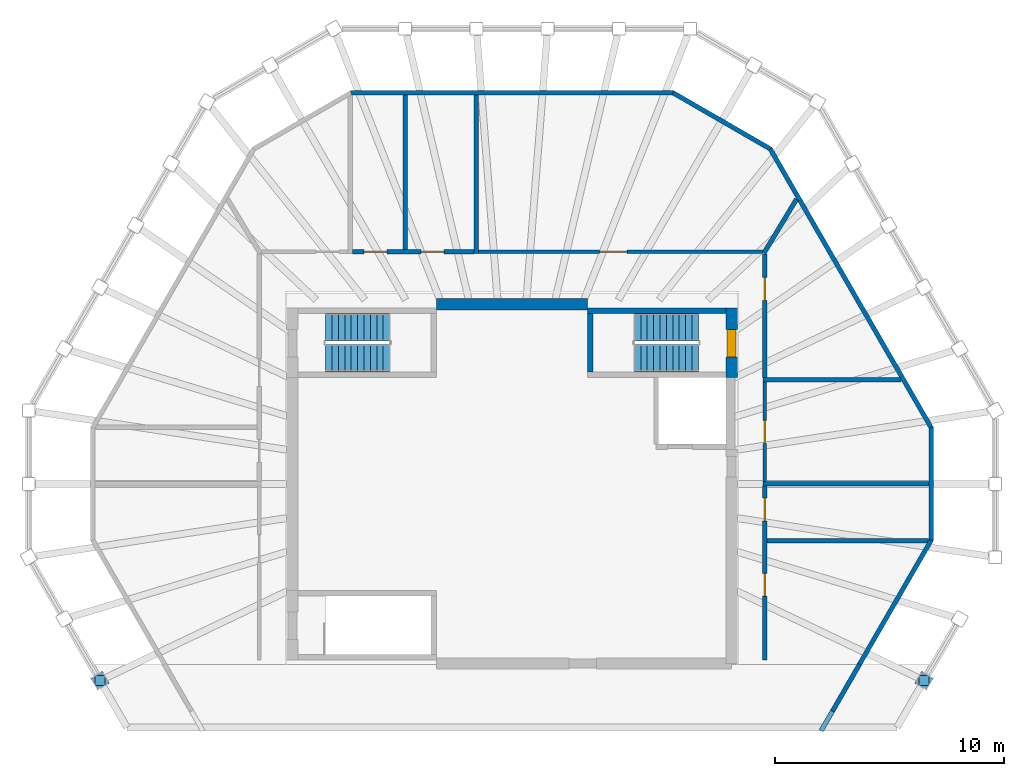
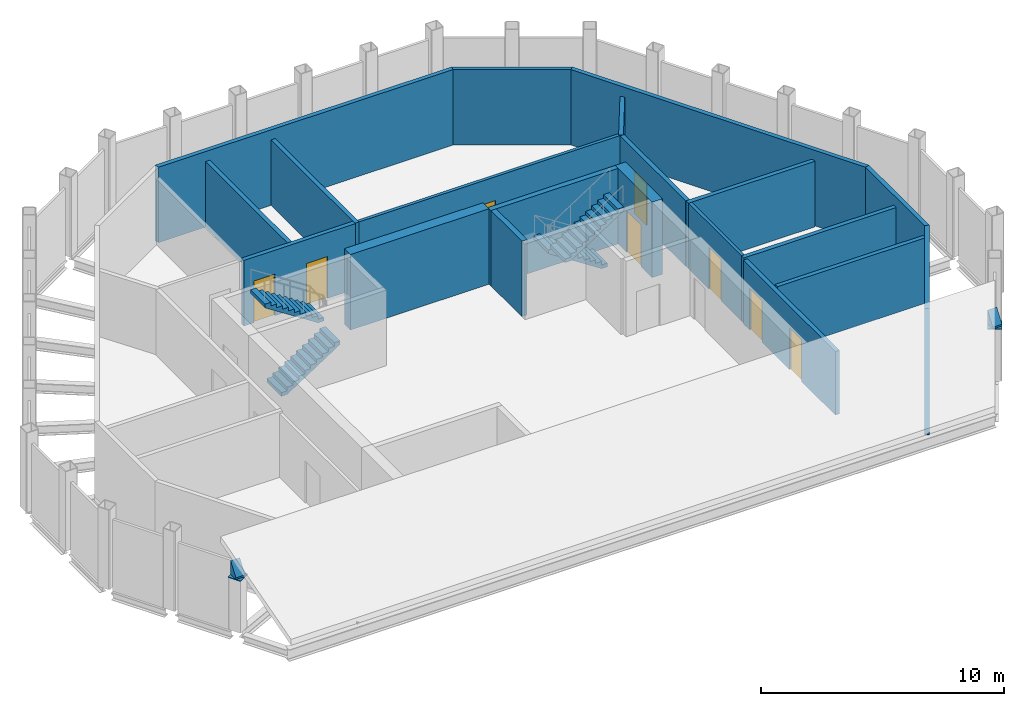
# One storey, part 3 of 4: 21 walls, 8 doors, 4 discrete accessories, 4 stair flights, 8 openings, 2 elements without a shape of their own.
"""IFC4 building model written with IfcOpenShell, lengths in metres."""

from ifc_helpers import new_model, si_unit, direction, frame, frame_2d, origin, origin_2d, place, context, subcontext, project, spatial, polyline, rectangle, outline, extrude, material, layer, layer_set, type_object, element, fill, aggregate, save


model = new_model("IFC4")

# Units and contexts
model_context = context("Model", 3, precision=1e-05, world=origin(), true_north=direction((0.0, 1.0)))
body_context = subcontext(model_context, "Body", "Model", "MODEL_VIEW")
ifc_project = project(units=[si_unit("LENGTHUNIT", "METRE"), si_unit("AREAUNIT", "SQUARE_METRE"), si_unit("VOLUMEUNIT", "CUBIC_METRE"), si_unit("PLANEANGLEUNIT", "RADIAN"), si_unit("MASSUNIT", "GRAM", prefix="KILO")], contexts=[model_context])

# Site, building, storey
site_placement = place(None, origin())
site = spatial("IfcSite", under=ifc_project, at=site_placement, CompositionType="ELEMENT")
building_placement = place(site_placement, origin())
building = spatial("IfcBuilding", under=site, at=building_placement, Name="Frailejon Research Tower", CompositionType="ELEMENT")
storey_placement = place(building_placement, frame((0.0, 0.0, 356.60009765625)))
storey = spatial("IfcBuildingStorey", under=building, at=storey_placement, Name="L80", CompositionType="ELEMENT", Elevation=356.60009765625)

# Wall
ifc_material_1 = material(Name="Concrete C50/60", Category="concrete")
ifc_layer_1 = layer(ifc_material_1, 0.5)
ifc_layer_set_1 = layer_set([ifc_layer_1], Name="Core shear wall 500 C50/60")
wall_type_1 = type_object("IfcWallType", Name="Core shear wall 500 C50/60", PredefinedType="SHEAR", material=ifc_layer_set_1)
wall_1_placement = place(storey_placement, frame((3.300048828125, 7.85009765625, 0.0), z_axis=(0.0, 0.0, 1.0), x_axis=(-1.0, 0.0, 0.0)))
element("IfcWall", 1, at=wall_1_placement, inside=storey, type_object=wall_type_1, Name="Core shear wall", PredefinedType="SHEAR", context=body_context, shape_type="SweptSolid", body=[
    extrude(rectangle(XDim=6.60009765625, YDim=0.5, at=frame_2d((3.300048828125, 0.0))), origin(), (0.0, 0.0, 1.0), 3.7998046875),
])

# Wall, opening, door
wall_2_placement = place(storey_placement, frame((9.60009765625, 4.64990234375, 0.0), z_axis=(0.0, 0.0, 1.0), x_axis=(0.0, 1.0, 0.0)))
wall_2 = element("IfcWall", 2, at=wall_2_placement, inside=storey, type_object=wall_type_1, Name="Core shear wall", PredefinedType="SHEAR", context=body_context, shape_type="SweptSolid", body=[
    extrude(rectangle(XDim=3.050048828125, YDim=0.5, at=frame_2d((1.52490234375, 0.0))), origin(), (0.0, 0.0, 1.0), 3.7998046875),
])
opening_1_placement = place(wall_2_placement, frame((0.89990234375, 0.0, 0.0)))
opening_1 = element("IfcOpeningElement", 3, at=opening_1_placement, cuts=wall_2, Name="Opening D7", PredefinedType="OPENING", context=body_context, shape_type="SweptSolid", body=[
    extrude(rectangle(XDim=1.199951171875, YDim=2.10009765625, at=frame_2d((0.60009765625, 1.050048828125))), frame((0.0, 0.260009765625, 0.0), z_axis=(0.0, -1.0, 0.0), x_axis=(1.0, 0.0, 0.0)), (0.0, 0.0, 1.0), 0.52001953125),
])
ifc_material_2 = material(Name="Steel", Category="steel")
door_type_1 = type_object("IfcDoorType", Name="Stair exit door", OperationType="SINGLE_SWING_LEFT", PredefinedType="DOOR", material=ifc_material_2)
door_1_placement = place(opening_1_placement, origin())
door_1 = element("IfcDoor", 4, at=door_1_placement, inside=storey, type_object=door_type_1, Name="Stair door ST3", OperationType="SINGLE_SWING_RIGHT", OverallHeight=2.10009765625, OverallWidth=1.199951171875, PredefinedType="DOOR", context=body_context, shape_type="SweptSolid", body=[
    extrude(rectangle(XDim=1.199951171875, YDim=2.10009765625, at=frame_2d((0.60009765625, 1.050048828125))), frame((0.0, 0.199951171875, 0.0), z_axis=(0.0, -1.0, 0.0), x_axis=(1.0, 0.0, 0.0)), (0.0, 0.0, 1.0), 0.39990234375),
])
fill(opening_1, door_1)

ifc_material_3 = material(Name="Gypsum board and masonry partition", Category="masonry")
ifc_layer_2 = layer(ifc_material_3, 0.14990234375)
ifc_layer_set_2 = layer_set([ifc_layer_2], Name="Corridor wall EI 60, gypsum on steel studs 150")
wall_type_2 = type_object("IfcWallType", Name="Corridor wall EI 60, gypsum on steel studs 150", PredefinedType="PARTITIONING", material=ifc_layer_set_2)
wall_3_placement = place(storey_placement, frame((11.050048828125, 0.10009765625, 0.0), z_axis=(0.0, 0.0, 1.0), x_axis=(0.0, 1.0, 0.0)))
wall_3 = element("IfcWall", 5, at=wall_3_placement, inside=storey, type_object=wall_type_2, Name="T:IW:L80:001", PredefinedType="PARTITIONING", context=body_context, shape_type="SweptSolid", body=[
    extrude(rectangle(XDim=4.353515625, YDim=0.14990234375, at=frame_2d((2.1767578125, 0.0))), origin(), (0.0, 0.0, 1.0), 3.2998046875),
])
opening_2_placement = place(wall_3_placement, frame((1.6767578125, 0.0, 0.0)))
opening_2 = element("IfcOpeningElement", 6, at=opening_2_placement, cuts=wall_3, Name="Opening D1192", PredefinedType="OPENING", context=body_context, shape_type="SweptSolid", body=[
    extrude(rectangle(XDim=1.0, YDim=2.10009765625, at=frame_2d((0.5, 1.050048828125))), frame((0.0, 0.0849609375, 0.0), z_axis=(0.0, -1.0, 0.0), x_axis=(1.0, 0.0, 0.0)), (0.0, 0.0, 1.0), 0.169921875),
])
ifc_material_4 = material(Name="Steel door leaf", Category="steel")
door_type_2 = type_object("IfcDoorType", Name="Door plant room, steel 1000", OperationType="NOTDEFINED", PredefinedType="DOOR", material=ifc_material_4)
door_2_placement = place(opening_2_placement, origin())
door_2 = element("IfcDoor", 7, at=door_2_placement, inside=storey, type_object=door_type_2, Name="D1192", OperationType="SINGLE_SWING_RIGHT", OverallHeight=2.10009765625, OverallWidth=1.0, PredefinedType="DOOR", context=body_context, shape_type="SweptSolid", body=[
    extrude(rectangle(XDim=1.0, YDim=2.10009765625, at=frame_2d((0.5, 1.050048828125))), frame((0.0, 0.02490234375, 0.0), z_axis=(0.0, -1.0, 0.0), x_axis=(1.0, 0.0, 0.0)), (0.0, 0.0, 1.0), 0.050048828125),
])
fill(opening_2, door_2)

wall_4_placement = place(storey_placement, frame((-1.45751953125, 10.14990234375, 0.0), z_axis=(0.0, 0.0, 1.0), x_axis=(1.0, 0.0, 0.0)))
wall_4 = element("IfcWall", 8, at=wall_4_placement, inside=storey, type_object=wall_type_2, Name="T:IW:L80:003", PredefinedType="PARTITIONING", context=body_context, shape_type="SweptSolid", body=[
    extrude(rectangle(XDim=12.407470703125, YDim=0.14990234375, at=frame_2d((6.20361328125, 0.0))), origin(), (0.0, 0.0, 1.0), 3.2998046875),
])
opening_3_placement = place(wall_4_placement, frame((5.291015625, 0.0, 0.0)))
opening_3 = element("IfcOpeningElement", 9, at=opening_3_placement, cuts=wall_4, Name="Opening D1194", PredefinedType="OPENING", context=body_context, shape_type="SweptSolid", body=[
    extrude(rectangle(XDim=1.199951171875, YDim=2.10009765625, at=frame_2d((0.60009765625, 1.050048828125))), frame((0.0, 0.0849609375, 0.0), z_axis=(0.0, -1.0, 0.0), x_axis=(1.0, 0.0, 0.0)), (0.0, 0.0, 1.0), 0.169921875),
])
ifc_material_5 = material(Name="Timber door leaf", Category="wood")
door_type_3 = type_object("IfcDoorType", Name="Door single leaf, timber, steel frame 1200", OperationType="NOTDEFINED", PredefinedType="DOOR", material=ifc_material_5)
door_3_placement = place(opening_3_placement, origin())
door_3 = element("IfcDoor", 10, at=door_3_placement, inside=storey, type_object=door_type_3, Name="D1194", OperationType="DOUBLE_DOOR_SINGLE_SWING", OverallHeight=2.10009765625, OverallWidth=1.199951171875, PredefinedType="DOOR", context=body_context, shape_type="SweptSolid", body=[
    extrude(rectangle(XDim=1.199951171875, YDim=2.10009765625, at=frame_2d((0.60009765625, 1.050048828125))), frame((0.0, 0.02490234375, 0.0), z_axis=(0.0, -1.0, 0.0), x_axis=(1.0, 0.0, 0.0)), (0.0, 0.0, 1.0), 0.050048828125),
])
fill(opening_3, door_3)

# Walls
ifc_material_6 = material(Name="Aluminium louvre cladding panel", Category="aluminium")
ifc_layer_3 = layer(ifc_material_6, 0.199951171875)
ifc_layer_set_3 = layer_set([ifc_layer_3], Name="Crown louvred wall 200")
wall_type_3 = type_object("IfcWallType", Name="Crown louvred wall 200", PredefinedType="SOLIDWALL", material=ifc_layer_set_3)
wall_5_placement = place(storey_placement, frame((18.327392578125, -2.455810546875, 0.0), z_axis=(0.0, 0.0, 1.0), x_axis=(0.0, 1.0, 0.0)))
element("IfcWall", 11, at=wall_5_placement, inside=storey, type_object=wall_type_3, Name="Crown louvred wall L80", PredefinedType="SOLIDWALL", context=body_context, shape_type="SweptSolid", body=[
    extrude(outline(polyline([(-0.02685546875, -0.10009765625), (4.9384765625, -0.10009765625), (4.884765625, 0.10009765625), (0.02685546875, 0.10009765625), (-0.02685546875, -0.10009765625)])), origin(), (0.0, 0.0, 1.0), 3.7998046875),
])
wall_6_placement = place(storey_placement, frame((18.327392578125, 2.455810546875, 0.0), z_axis=(0.0, 0.0, 1.0), x_axis=(-0.499991740577, 0.866030172312, 0.0)))
element("IfcWall", 12, at=wall_6_placement, inside=storey, type_object=wall_type_3, Name="Crown louvred wall L80", PredefinedType="SOLIDWALL", context=body_context, shape_type="SweptSolid", body=[
    extrude(outline(polyline([(-0.02685546875, -0.10009765625), (14.100830078125, -0.10009765625), (14.047119140625, 0.10009765625), (0.02685546875, 0.10009765625), (-0.02685546875, -0.10009765625)])), origin(), (0.0, 0.0, 1.0), 3.7998046875),
])
wall_7_placement = place(storey_placement, frame((11.29052734375, 14.644287109375, 0.0), z_axis=(0.0, 0.0, 1.0), x_axis=(-0.86601671623, 0.500015046984, 0.0)))
element("IfcWall", 13, at=wall_7_placement, inside=storey, type_object=wall_type_3, Name="Crown louvred wall L80", PredefinedType="SOLIDWALL", context=body_context, shape_type="SweptSolid", body=[
    extrude(outline(polyline([(-0.02685546875, -0.10009765625), (4.938232421875, -0.10009765625), (4.884521484375, 0.10009765625), (0.02685546875, 0.10009765625), (-0.02685546875, -0.10009765625)])), origin(), (0.0, 0.0, 1.0), 3.7998046875),
])
wall_8_placement = place(storey_placement, frame((7.037109375, 17.10009765625, 0.0), z_axis=(0.0, 0.0, 1.0), x_axis=(-1.0, 0.0, 0.0)))
element("IfcWall", 14, at=wall_8_placement, inside=storey, type_object=wall_type_3, Name="Crown louvred wall L80", PredefinedType="SOLIDWALL", context=body_context, shape_type="SweptSolid", body=[
    extrude(outline(polyline([(-0.02685546875, -0.10009765625), (14.10107421875, -0.10009765625), (14.04736328125, 0.10009765625), (0.02685546875, 0.10009765625), (-0.02685546875, -0.10009765625)])), origin(), (0.0, 0.0, 1.0), 3.7998046875),
])
wall_9_placement = place(storey_placement, frame((13.51416015625, -10.792724609375, 0.0), z_axis=(0.0, 0.0, 1.0), x_axis=(0.499989072476, 0.866031712701, 0.0)))
element("IfcWall", 15, at=wall_9_placement, inside=storey, type_object=wall_type_3, Name="Crown louvred wall L80", PredefinedType="SOLIDWALL", context=body_context, shape_type="SweptSolid", body=[
    extrude(outline(polyline([(0.0, 0.0), (3.35546875, 0.0), (3.355712890625, 4.0), (0.0, 0.02978515625), (0.0, 0.0)])), frame((0.0, 0.10009765625, 0.0), z_axis=(0.0, -1.0, 0.0), x_axis=(1.0, 0.0, 0.0)), (0.0, 0.0, 1.0), 0.199951171875),
])
wall_10_placement = place(storey_placement, frame((15.19189453125, -7.88671875, 0.0), z_axis=(0.0, 0.0, 1.0), x_axis=(0.499995423472, 0.866028046028, 0.0)))
element("IfcWall", 16, at=wall_10_placement, inside=storey, type_object=wall_type_3, Name="Crown louvred wall L80", PredefinedType="SOLIDWALL", context=body_context, shape_type="SweptSolid", body=[
    extrude(outline(polyline([(0.0, -0.10009765625), (6.2978515625, -0.10009765625), (6.244140625, 0.10009765625), (0.0, 0.10009765625), (0.0, -0.10009765625)])), origin(), (0.0, 0.0, 1.0), 3.7998046875),
])

# Wall, openings, doors
ifc_material_7 = material(Name="Gypsum board and masonry partition", Category="masonry")
ifc_layer_4 = layer(ifc_material_7, 0.199951171875)
ifc_layer_set_4 = layer_set([ifc_layer_4], Name="Plant enclosure wall, blockwork 200")
wall_type_4 = type_object("IfcWallType", Name="Plant enclosure wall, blockwork 200", PredefinedType="PARTITIONING", material=ifc_layer_set_4)
wall_11_placement = place(storey_placement, frame((11.050048828125, -7.6865234375, 0.0), z_axis=(0.0, 0.0, 1.0), x_axis=(0.0, 1.0, 0.0)))
wall_11 = element("IfcWall", 17, at=wall_11_placement, inside=storey, type_object=wall_type_4, Name="T:IW:L80:005", PredefinedType="PARTITIONING", context=body_context, shape_type="SweptSolid", body=[
    extrude(rectangle(XDim=7.58642578125, YDim=0.199951171875, at=frame_2d((3.793212890625, 0.0))), origin(), (0.0, 0.0, 1.0), 3.199951171875),
])
opening_4_placement = place(wall_11_placement, frame((2.780029296875, 0.0, 0.0)))
opening_4 = element("IfcOpeningElement", 18, at=opening_4_placement, cuts=wall_11, Name="Opening D1201", PredefinedType="OPENING", context=body_context, shape_type="SweptSolid", body=[
    extrude(rectangle(XDim=1.0, YDim=2.10009765625, at=frame_2d((0.5, 1.050048828125))), frame((0.0, 0.10986328125, 0.0), z_axis=(0.0, -1.0, 0.0), x_axis=(1.0, 0.0, 0.0)), (0.0, 0.0, 1.0), 0.219970703125),
])
opening_5_placement = place(wall_11_placement, frame((6.062744140625, 0.0, 0.0)))
opening_5 = element("IfcOpeningElement", 19, at=opening_5_placement, cuts=wall_11, Name="Opening D1202", PredefinedType="OPENING", context=body_context, shape_type="SweptSolid", body=[
    extrude(rectangle(XDim=1.0, YDim=2.10009765625, at=frame_2d((0.5, 1.050048828125))), frame((0.0, 0.10986328125, 0.0), z_axis=(0.0, -1.0, 0.0), x_axis=(1.0, 0.0, 0.0)), (0.0, 0.0, 1.0), 0.219970703125),
])
door_4_placement = place(opening_4_placement, origin())
door_4 = element("IfcDoor", 20, at=door_4_placement, inside=storey, type_object=door_type_2, Name="D1201", OperationType="SINGLE_SWING_LEFT", OverallHeight=2.10009765625, OverallWidth=1.0, PredefinedType="DOOR", context=body_context, shape_type="SweptSolid", body=[
    extrude(rectangle(XDim=1.0, YDim=2.10009765625, at=frame_2d((0.5, 1.050048828125))), frame((0.0, 0.02490234375, 0.0), z_axis=(0.0, -1.0, 0.0), x_axis=(1.0, 0.0, 0.0)), (0.0, 0.0, 1.0), 0.050048828125),
])
fill(opening_4, door_4)
door_5_placement = place(opening_5_placement, origin())
door_5 = element("IfcDoor", 21, at=door_5_placement, inside=storey, type_object=door_type_2, Name="D1202", OperationType="SINGLE_SWING_LEFT", OverallHeight=2.10009765625, OverallWidth=1.0, PredefinedType="DOOR", context=body_context, shape_type="SweptSolid", body=[
    extrude(rectangle(XDim=1.0, YDim=2.10009765625, at=frame_2d((0.5, 1.050048828125))), frame((0.0, 0.02490234375, 0.0), z_axis=(0.0, -1.0, 0.0), x_axis=(1.0, 0.0, 0.0)), (0.0, 0.0, 1.0), 0.050048828125),
])
fill(opening_5, door_5)

# Wall, opening, door
wall_12_placement = place(storey_placement, frame((11.050048828125, 4.653564453125, 0.0), z_axis=(0.0, 0.0, 1.0), x_axis=(0.0, 1.0, 0.0)))
wall_12 = element("IfcWall", 22, at=wall_12_placement, inside=storey, type_object=wall_type_4, Name="T:IW:L80:006", PredefinedType="PARTITIONING", context=body_context, shape_type="SweptSolid", body=[
    extrude(rectangle(XDim=5.396484375, YDim=0.199951171875, at=frame_2d((2.6982421875, 0.0))), origin(), (0.0, 0.0, 1.0), 3.2998046875),
])
opening_6_placement = place(wall_12_placement, frame((3.3671875, 0.0, 0.0)))
opening_6 = element("IfcOpeningElement", 23, at=opening_6_placement, cuts=wall_12, Name="Opening D1193", PredefinedType="OPENING", context=body_context, shape_type="SweptSolid", body=[
    extrude(rectangle(XDim=1.0, YDim=2.10009765625, at=frame_2d((0.5, 1.050048828125))), frame((0.0, 0.10986328125, 0.0), z_axis=(0.0, -1.0, 0.0), x_axis=(1.0, 0.0, 0.0)), (0.0, 0.0, 1.0), 0.219970703125),
])
door_6_placement = place(opening_6_placement, origin())
door_6 = element("IfcDoor", 24, at=door_6_placement, inside=storey, type_object=door_type_2, Name="D1193", OperationType="SINGLE_SWING_RIGHT", OverallHeight=2.10009765625, OverallWidth=1.0, PredefinedType="DOOR", context=body_context, shape_type="SweptSolid", body=[
    extrude(rectangle(XDim=1.0, YDim=2.10009765625, at=frame_2d((0.5, 1.050048828125))), frame((0.0, 0.02490234375, 0.0), z_axis=(0.0, -1.0, 0.0), x_axis=(1.0, 0.0, 0.0)), (0.0, 0.0, 1.0), 0.050048828125),
])
fill(opening_6, door_6)

# Wall, openings, doors
wall_13_placement = place(storey_placement, frame((-6.9638671875, 10.14990234375, 0.0), z_axis=(0.0, 0.0, 1.0), x_axis=(1.0, 0.0, 0.0)))
wall_13 = element("IfcWall", 25, at=wall_13_placement, inside=storey, type_object=wall_type_4, Name="T:IW:L80:007", PredefinedType="PARTITIONING", context=body_context, shape_type="SweptSolid", body=[
    extrude(rectangle(XDim=5.306396484375, YDim=0.199951171875, at=frame_2d((2.6533203125, 0.0))), origin(), (0.0, 0.0, 1.0), 3.2998046875),
])
opening_7_placement = place(wall_13_placement, frame((2.9951171875, 0.0, 0.0)))
opening_7 = element("IfcOpeningElement", 26, at=opening_7_placement, cuts=wall_13, Name="Opening D1195", PredefinedType="OPENING", context=body_context, shape_type="SweptSolid", body=[
    extrude(rectangle(XDim=1.0, YDim=2.10009765625, at=frame_2d((0.5, 1.050048828125))), frame((0.0, 0.10986328125, 0.0), z_axis=(0.0, -1.0, 0.0), x_axis=(1.0, 0.0, 0.0)), (0.0, 0.0, 1.0), 0.219970703125),
])
opening_8_placement = place(wall_13_placement, frame((0.491943359375, 0.0, 0.0)))
opening_8 = element("IfcOpeningElement", 27, at=opening_8_placement, cuts=wall_13, Name="Opening D1196", PredefinedType="OPENING", context=body_context, shape_type="SweptSolid", body=[
    extrude(rectangle(XDim=1.0, YDim=2.10009765625, at=frame_2d((0.5, 1.050048828125))), frame((0.0, 0.10986328125, 0.0), z_axis=(0.0, -1.0, 0.0), x_axis=(1.0, 0.0, 0.0)), (0.0, 0.0, 1.0), 0.219970703125),
])
door_7_placement = place(opening_7_placement, origin())
door_7 = element("IfcDoor", 28, at=door_7_placement, inside=storey, type_object=door_type_2, Name="D1195", OperationType="SINGLE_SWING_RIGHT", OverallHeight=2.10009765625, OverallWidth=1.0, PredefinedType="DOOR", context=body_context, shape_type="SweptSolid", body=[
    extrude(rectangle(XDim=1.0, YDim=2.10009765625, at=frame_2d((0.5, 1.050048828125))), frame((0.0, 0.02490234375, 0.0), z_axis=(0.0, -1.0, 0.0), x_axis=(1.0, 0.0, 0.0)), (0.0, 0.0, 1.0), 0.050048828125),
])
fill(opening_7, door_7)
door_8_placement = place(opening_8_placement, origin())
door_8 = element("IfcDoor", 29, at=door_8_placement, inside=storey, type_object=door_type_2, Name="D1196", OperationType="SINGLE_SWING_RIGHT", OverallHeight=2.10009765625, OverallWidth=1.0, PredefinedType="DOOR", context=body_context, shape_type="SweptSolid", body=[
    extrude(rectangle(XDim=1.0, YDim=2.10009765625, at=frame_2d((0.5, 1.050048828125))), frame((0.0, 0.02490234375, 0.0), z_axis=(0.0, -1.0, 0.0), x_axis=(1.0, 0.0, 0.0)), (0.0, 0.0, 1.0), 0.050048828125),
])
fill(opening_8, door_8)

# Walls
wall_14_placement = place(storey_placement, frame((10.97509765625, 4.5537109375, 0.0), z_axis=(0.0, 0.0, 1.0), x_axis=(1.0, 0.0, 0.0)))
element("IfcWall", 30, at=wall_14_placement, inside=storey, type_object=wall_type_4, Name="T:IW:L80:009", PredefinedType="PARTITIONING", context=body_context, shape_type="SweptSolid", body=[
    extrude(rectangle(XDim=6.02587890625, YDim=0.199951171875, at=frame_2d((3.012939453125, 0.0))), origin(), (0.0, 0.0, 1.0), 3.2998046875),
])
wall_15_placement = place(storey_placement, frame((10.97509765625, 0.0, 0.0), z_axis=(0.0, 0.0, 1.0), x_axis=(1.0, 0.0, 0.0)))
element("IfcWall", 31, at=wall_15_placement, inside=storey, type_object=wall_type_4, Name="T:IW:L80:011", PredefinedType="PARTITIONING", context=body_context, shape_type="SweptSolid", body=[
    extrude(rectangle(XDim=7.25244140625, YDim=0.199951171875, at=frame_2d((3.626220703125, 0.0))), origin(), (0.0, 0.0, 1.0), 3.2998046875),
])
wall_16_placement = place(storey_placement, frame((11.01123046875, 10.085693359375, 0.0), z_axis=(0.0, 0.0, 1.0), x_axis=(0.517428364129, 0.855726526406, 0.0)))
element("IfcWall", 32, at=wall_16_placement, inside=storey, type_object=wall_type_4, Name="T:IW:L80:012", PredefinedType="PARTITIONING", context=body_context, shape_type="SweptSolid", body=[
    extrude(rectangle(XDim=2.763916015625, YDim=0.199951171875, at=frame_2d((1.3818359375, 0.0))), origin(), (0.0, 0.0, 1.0), 3.2998046875),
])
wall_17_placement = place(storey_placement, frame((-1.557373046875, 10.074951171875, 0.0), z_axis=(0.0, 0.0, 1.0), x_axis=(0.0, 1.0, 0.0)))
element("IfcWall", 33, at=wall_17_placement, inside=storey, type_object=wall_type_4, Name="T:IW:L80:013", PredefinedType="PARTITIONING", context=body_context, shape_type="SweptSolid", body=[
    extrude(rectangle(XDim=6.925048828125, YDim=0.199951171875, at=frame_2d((3.46240234375, 0.0))), origin(), (0.0, 0.0, 1.0), 3.2998046875),
])
wall_18_placement = place(storey_placement, frame((-4.67236328125, 10.25, 0.0), z_axis=(0.0, 0.0, 1.0), x_axis=(0.0, 1.0, 0.0)))
element("IfcWall", 34, at=wall_18_placement, inside=storey, type_object=wall_type_4, Name="T:IW:L80:014", PredefinedType="PARTITIONING", context=body_context, shape_type="SweptSolid", body=[
    extrude(rectangle(XDim=6.75, YDim=0.199951171875, at=frame_2d((3.375, 0.0))), origin(), (0.0, 0.0, 1.0), 3.2998046875),
])
wall_19_placement = place(storey_placement, frame((11.14990234375, -2.482666015625, 0.0), z_axis=(0.0, 0.0, 1.0), x_axis=(1.0, 0.0, 0.0)))
element("IfcWall", 35, at=wall_19_placement, inside=storey, type_object=wall_type_4, Name="T:IW:L80:018", PredefinedType="PARTITIONING", context=body_context, shape_type="SweptSolid", body=[
    extrude(rectangle(XDim=7.046630859375, YDim=0.199951171875, at=frame_2d((3.5234375, 0.0))), origin(), (0.0, 0.0, 1.0), 3.2998046875),
])
ifc_material_8 = material(Name="Concrete C50/60", Category="concrete")
ifc_layer_5 = layer(ifc_material_8, 0.25)
ifc_layer_set_5 = layer_set([ifc_layer_5], Name="Shaft wall 250 C50/60")
wall_type_5 = type_object("IfcWallType", Name="Shaft wall 250 C50/60", PredefinedType="SOLIDWALL", material=ifc_layer_set_5)
wall_20_placement = place(storey_placement, frame((3.425048828125, 4.89990234375, 0.0), z_axis=(0.0, 0.0, 1.0), x_axis=(0.0, 1.0, 0.0)))
element("IfcWall", 36, at=wall_20_placement, inside=storey, type_object=wall_type_5, Name="Shaft wall", PredefinedType="SOLIDWALL", context=body_context, shape_type="SweptSolid", body=[
    extrude(rectangle(XDim=2.550048828125, YDim=0.25, at=frame_2d((1.27490234375, 0.0))), origin(), (0.0, 0.0, 1.0), 3.7998046875),
])
wall_21_placement = place(storey_placement, frame((3.300048828125, 7.574951171875, 0.0), z_axis=(0.0, 0.0, 1.0), x_axis=(1.0, 0.0, 0.0)))
element("IfcWall", 37, at=wall_21_placement, inside=storey, type_object=wall_type_5, Name="Shaft wall", PredefinedType="SOLIDWALL", context=body_context, shape_type="SweptSolid", body=[
    extrude(rectangle(XDim=6.050048828125, YDim=0.25, at=frame_2d((3.02490234375, 0.0))), origin(), (0.0, 0.0, 1.0), 3.7998046875),
])

# Stair, stair flights
ifc_material_9 = material(Name="Concrete C50/60", Category="concrete")
stair_type = type_object("IfcStairType", Name="Exit stair 22 risers", PredefinedType="HALF_TURN_STAIR", material=ifc_material_9)
stair_1_placement = place(storey_placement, origin())
stair_1 = element("IfcStair", 38, at=stair_1_placement, inside=storey, type_object=stair_type, Name="L80 Exit stair ST1", PredefinedType="HALF_TURN_STAIR")
ifc_material_10 = material(Name="Concrete C50/60", Category="concrete")
ifc_layer_6 = layer(ifc_material_10, 0.14990234375)
ifc_layer_set_6 = layer_set([ifc_layer_6], Name="Stair flight 11 risers")
stair_flight_type = type_object("IfcStairFlightType", Name="Stair flight 11 risers", PredefinedType="STRAIGHT", material=ifc_layer_set_6)
stair_flight_1_placement = place(storey_placement, frame((-8.14990234375, 5.5, 0.0), z_axis=(0.0, 0.0, 1.0), x_axis=(1.0, 0.0, 0.0)))
stair_flight_1 = element("IfcStairFlight", 39, at=stair_flight_1_placement, type_object=stair_flight_type, Name="ST1 flight 1", NumberOfRisers=11, NumberOfTreads=10, PredefinedType="STRAIGHT", RiserHeight=0.181818182, TreadLength=0.28, context=body_context, shape_type="SweptSolid", body=[
    extrude(outline(polyline([(0.0, 0.0), (0.0, 0.181884765625), (0.280029296875, 0.181884765625), (0.280029296875, 0.363525390625), (0.56005859375, 0.363525390625), (0.56005859375, 0.54541015625), (0.840087890625, 0.54541015625), (0.840087890625, 0.727294921875), (1.1201171875, 0.727294921875), (1.1201171875, 0.9091796875), (1.39990234375, 0.9091796875), (1.39990234375, 1.0908203125), (1.679931640625, 1.0908203125), (1.679931640625, 1.272705078125), (1.9599609375, 1.272705078125), (1.9599609375, 1.45458984375), (2.239990234375, 1.45458984375), (2.239990234375, 1.636474609375), (2.52001953125, 1.636474609375), (2.52001953125, 1.818115234375), (2.800048828125, 1.818115234375), (2.800048828125, 2.0), (2.800048828125, 1.639404296875), (0.275146484375, 0.0), (0.0, 0.0)])), frame((0.0, 0.60009765625, 0.0), z_axis=(0.0, -1.0, 0.0), x_axis=(1.0, 0.0, 0.0)), (0.0, 0.0, 1.0), 1.199951171875),
])
stair_flight_2_placement = place(storey_placement, frame((-5.35009765625, 6.85009765625, 2.0), z_axis=(0.0, 0.0, 1.0), x_axis=(-1.0, 0.0, 0.0)))
stair_flight_2 = element("IfcStairFlight", 40, at=stair_flight_2_placement, type_object=stair_flight_type, Name="ST1 flight 2", NumberOfRisers=11, NumberOfTreads=10, PredefinedType="STRAIGHT", RiserHeight=0.181818182, TreadLength=0.28, context=body_context, shape_type="SweptSolid", body=[
    extrude(outline(polyline([(0.0, 0.0), (0.0, 0.181884765625), (0.280029296875, 0.181884765625), (0.280029296875, 0.363525390625), (0.56005859375, 0.363525390625), (0.56005859375, 0.54541015625), (0.840087890625, 0.54541015625), (0.840087890625, 0.727294921875), (1.1201171875, 0.727294921875), (1.1201171875, 0.9091796875), (1.39990234375, 0.9091796875), (1.39990234375, 1.0908203125), (1.679931640625, 1.0908203125), (1.679931640625, 1.272705078125), (1.9599609375, 1.272705078125), (1.9599609375, 1.45458984375), (2.239990234375, 1.45458984375), (2.239990234375, 1.636474609375), (2.52001953125, 1.636474609375), (2.52001953125, 1.818115234375), (2.800048828125, 1.818115234375), (2.800048828125, 2.0), (2.800048828125, 1.639404296875), (0.275146484375, 0.0), (0.0, 0.0)])), frame((0.0, 0.60009765625, 0.0), z_axis=(0.0, -1.0, 0.0), x_axis=(1.0, 0.0, 0.0)), (0.0, 0.0, 1.0), 1.199951171875),
])
aggregate(stair_1, [stair_flight_1, stair_flight_2])

stair_2_placement = place(storey_placement, origin())
stair_2 = element("IfcStair", 41, at=stair_2_placement, inside=storey, type_object=stair_type, Name="L80 Exit stair ST3", PredefinedType="HALF_TURN_STAIR")
stair_flight_3_placement = place(storey_placement, frame((8.14990234375, 6.85009765625, 0.0), z_axis=(0.0, 0.0, 1.0), x_axis=(-1.0, 0.0, 0.0)))
stair_flight_3 = element("IfcStairFlight", 42, at=stair_flight_3_placement, type_object=stair_flight_type, Name="ST3 flight 1", NumberOfRisers=11, NumberOfTreads=10, PredefinedType="STRAIGHT", RiserHeight=0.181818182, TreadLength=0.28, context=body_context, shape_type="SweptSolid", body=[
    extrude(outline(polyline([(0.0, 0.0), (0.0, 0.181884765625), (0.280029296875, 0.181884765625), (0.280029296875, 0.363525390625), (0.56005859375, 0.363525390625), (0.56005859375, 0.54541015625), (0.840087890625, 0.54541015625), (0.840087890625, 0.727294921875), (1.1201171875, 0.727294921875), (1.1201171875, 0.9091796875), (1.39990234375, 0.9091796875), (1.39990234375, 1.0908203125), (1.679931640625, 1.0908203125), (1.679931640625, 1.272705078125), (1.9599609375, 1.272705078125), (1.9599609375, 1.45458984375), (2.239990234375, 1.45458984375), (2.239990234375, 1.636474609375), (2.52001953125, 1.636474609375), (2.52001953125, 1.818115234375), (2.800048828125, 1.818115234375), (2.800048828125, 2.0), (2.800048828125, 1.639404296875), (0.275146484375, 0.0), (0.0, 0.0)])), frame((0.0, 0.60009765625, 0.0), z_axis=(0.0, -1.0, 0.0), x_axis=(1.0, 0.0, 0.0)), (0.0, 0.0, 1.0), 1.199951171875),
])
stair_flight_4_placement = place(storey_placement, frame((5.35009765625, 5.5, 2.0), z_axis=(0.0, 0.0, 1.0), x_axis=(1.0, 0.0, 0.0)))
stair_flight_4 = element("IfcStairFlight", 43, at=stair_flight_4_placement, type_object=stair_flight_type, Name="ST3 flight 2", NumberOfRisers=11, NumberOfTreads=10, PredefinedType="STRAIGHT", RiserHeight=0.181818182, TreadLength=0.28, context=body_context, shape_type="SweptSolid", body=[
    extrude(outline(polyline([(0.0, 0.0), (0.0, 0.181884765625), (0.280029296875, 0.181884765625), (0.280029296875, 0.363525390625), (0.56005859375, 0.363525390625), (0.56005859375, 0.54541015625), (0.840087890625, 0.54541015625), (0.840087890625, 0.727294921875), (1.1201171875, 0.727294921875), (1.1201171875, 0.9091796875), (1.39990234375, 0.9091796875), (1.39990234375, 1.0908203125), (1.679931640625, 1.0908203125), (1.679931640625, 1.272705078125), (1.9599609375, 1.272705078125), (1.9599609375, 1.45458984375), (2.239990234375, 1.45458984375), (2.239990234375, 1.636474609375), (2.52001953125, 1.636474609375), (2.52001953125, 1.818115234375), (2.800048828125, 1.818115234375), (2.800048828125, 2.0), (2.800048828125, 1.639404296875), (0.275146484375, 0.0), (0.0, 0.0)])), frame((0.0, 0.60009765625, 0.0), z_axis=(0.0, -1.0, 0.0), x_axis=(1.0, 0.0, 0.0)), (0.0, 0.0, 1.0), 1.199951171875),
])
aggregate(stair_2, [stair_flight_3, stair_flight_4])

# Discrete accessories
for number, where, z_axis, x_axis, name in (
    (44, (-18.232177734375, -8.601318359375, 2.603515625), (1.0, 0.0, 0.0), (0.0, 1.0, 0.0), "Crown column bearing wedge"),
    (45, (17.79296875, -8.601318359375, 2.603515625), (1.0, 0.0, 0.0), (0.0, 1.0, 0.0), "Crown column bearing wedge"),
):
    element("IfcDiscreteAccessory", number, at=place(storey_placement, frame(where, z_axis=z_axis, x_axis=x_axis)), inside=storey, Name=name, PredefinedType="ANCHORPLATE", context=body_context, shape_type="SweptSolid", body=[
        extrude(outline(polyline([(-0.219482421875, 0.0), (0.219482421875, 0.0), (0.219482421875, 0.715087890625), (-0.219482421875, 0.110595703125), (-0.219482421875, 0.0)])), origin(), (0.0, 0.0, 1.0), 0.439208984375),
    ])
for number, where, z_axis, x_axis, name in (
    (46, (-18.0126953125, -8.601318359375, 2.603515625), (0.0, 0.0, 1.0), (0.5, -0.866025403784, 0.0), "Crown column end plate"),
    (47, (18.0126953125, -8.601318359375, 2.603515625), (0.0, 0.0, 1.0), (0.5, 0.866025403784, 0.0), "Crown column end plate"),
):
    element("IfcDiscreteAccessory", number, at=place(storey_placement, frame(where, z_axis=z_axis, x_axis=x_axis)), inside=storey, Name=name, PredefinedType="ANCHORPLATE", context=body_context, shape_type="SweptSolid", body=[
        extrude(rectangle(XDim=0.60009765625, YDim=0.60009765625, at=origin_2d()), origin(), (0.0, 0.0, 1.0), 0.02978515625),
    ])

save(model, "model.ifc")
